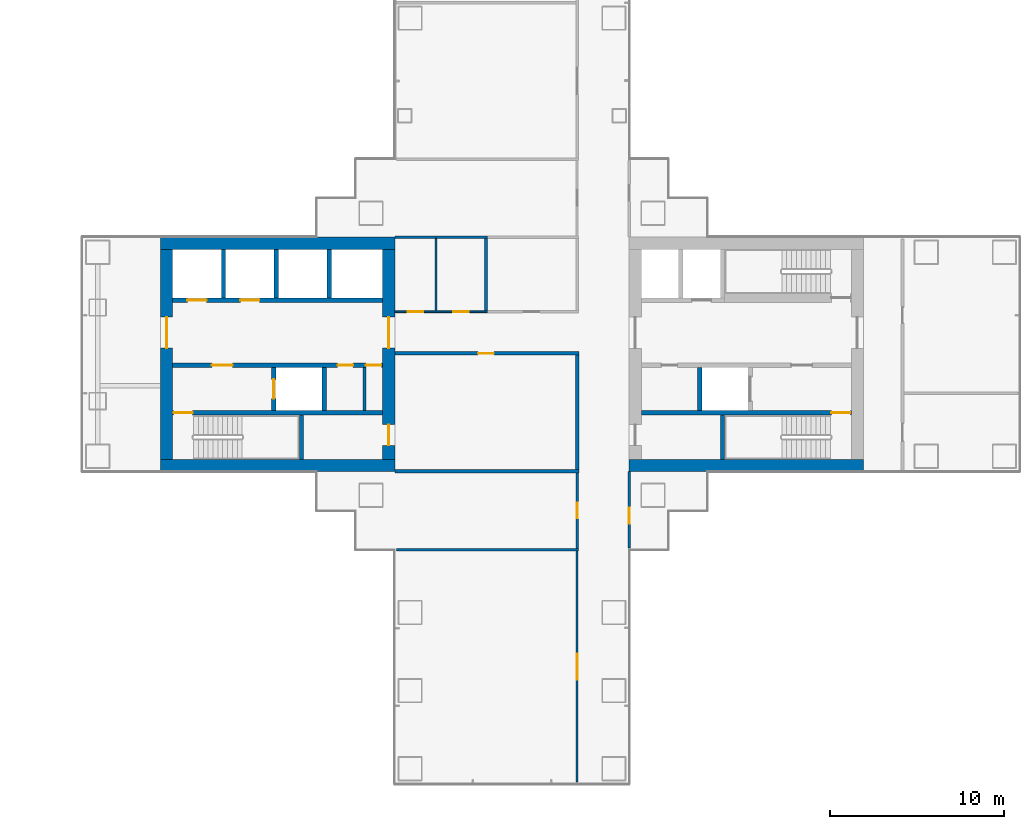
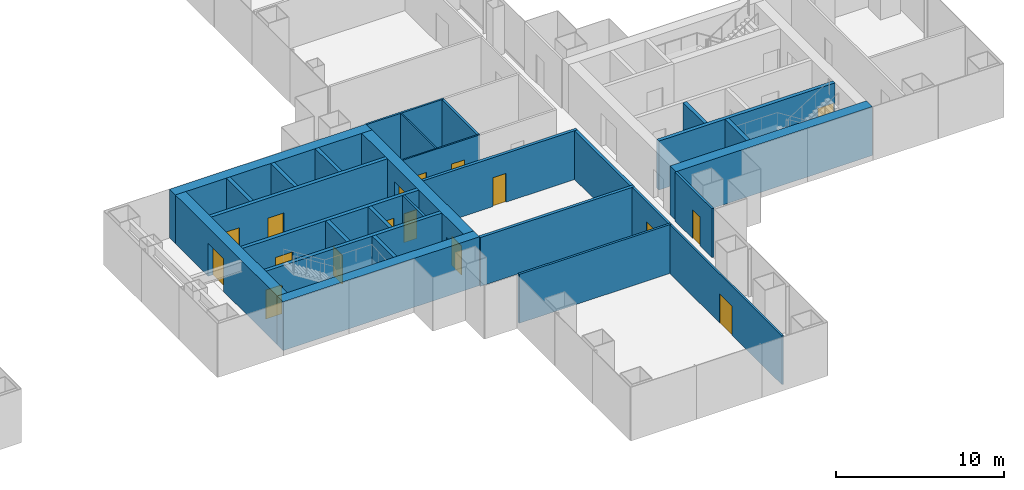
# One storey, part 16 of 21: 29 walls, 17 doors, 17 openings.
"""IFC4 building model written with IfcOpenShell, lengths in metres."""

from ifc_helpers import new_model, si_unit, direction, frame, frame_2d, origin, place, context, subcontext, project, spatial, rectangle, extrude, material, layer, layer_set, type_object, element, fill, save


model = new_model("IFC4")

# Units and contexts
model_context = context("Model", 3, precision=1e-05, world=origin(), true_north=direction((0.0, 1.0)))
body_context = subcontext(model_context, "Body", "Model", "MODEL_VIEW")
ifc_project = project(units=[si_unit("LENGTHUNIT", "METRE"), si_unit("AREAUNIT", "SQUARE_METRE"), si_unit("VOLUMEUNIT", "CUBIC_METRE"), si_unit("PLANEANGLEUNIT", "RADIAN"), si_unit("MASSUNIT", "GRAM", prefix="KILO")], contexts=[model_context])

# Site, building, storey
site_placement = place(None, origin())
site = spatial("IfcSite", under=ifc_project, at=site_placement, CompositionType="ELEMENT")
building_placement = place(site_placement, origin())
building = spatial("IfcBuilding", under=site, at=building_placement, Name="Shamsa Quay Exchange Towers", CompositionType="ELEMENT")
storey_placement = place(building_placement, frame((0.0, 0.0, 61.5)))
storey = spatial("IfcBuildingStorey", under=building, at=storey_placement, Name="L13", CompositionType="ELEMENT", Elevation=61.5)

# Walls
ifc_material_1 = material(Name="Concrete C80/95", Category="concrete")
ifc_layer_1 = layer(ifc_material_1, 0.699951171875)
ifc_layer_set_1 = layer_set([ifc_layer_1], Name="CORE WALL 700 C80/95")
wall_type_1 = type_object("IfcWallType", Name="CORE WALL 700 C80/95", PredefinedType="SHEAR", material=ifc_layer_set_1)
for number, where, name in (
    (1, (13.5, -6.39990234375, 0.0), "Core wall T2A-R06-PS"),
    (2, (13.5, 6.39990234375, 0.0), "Core wall T2A-R06-PN"),
):
    element("IfcWall", number, at=place(storey_placement, frame(where)), inside=storey, type_object=wall_type_1, Name=name, PredefinedType="SHEAR", context=body_context, shape_type="SweptSolid", body=[
        extrude(rectangle(XDim=13.5, YDim=0.699951171875, at=frame_2d((6.75, 0.0))), origin(), (0.0, 0.0, 1.0), 3.550048828125),
    ])

# Wall, opening, door
wall_1_placement = place(storey_placement, frame((13.85009765625, 6.050048828125, 0.0), z_axis=(0.0, 0.0, 1.0), x_axis=(0.0, -1.0, 0.0)))
wall_1 = element("IfcWall", 3, at=wall_1_placement, inside=storey, type_object=wall_type_1, Name="Core wall T2A-R06-PF", PredefinedType="SHEAR", context=body_context, shape_type="SweptSolid", body=[
    extrude(rectangle(XDim=12.10009765625, YDim=0.699951171875, at=frame_2d((6.050048828125, 0.0))), origin(), (0.0, 0.0, 1.0), 3.550048828125),
])
opening_1_placement = place(wall_1_placement, frame((3.89990234375, 0.0, 0.0)))
opening_1 = element("IfcOpeningElement", 4, at=opening_1_placement, cuts=wall_1, Name="Opening T2A-R06-LBD01", PredefinedType="OPENING", context=body_context, shape_type="SweptSolid", body=[
    extrude(rectangle(XDim=1.800048828125, YDim=2.39990234375, at=frame_2d((0.89990234375, 1.199951171875))), frame((0.0, 0.35986328125, 0.0), z_axis=(0.0, -1.0, 0.0), x_axis=(1.0, 0.0, 0.0)), (0.0, 0.0, 1.0), 0.719970703125),
])
ifc_material_2 = material(Name="Steel, fire rated", Category="steel")
door_type_1 = type_object("IfcDoorType", Name="LIFT LOBBY DOOR PAIR 1800", OperationType="DOUBLE_DOOR_SINGLE_SWING", PredefinedType="DOOR", material=ifc_material_2)
door_1_placement = place(opening_1_placement, origin())
door_1 = element("IfcDoor", 5, at=door_1_placement, inside=storey, type_object=door_type_1, Name="T2A-R06-LBD01", OperationType="DOUBLE_DOOR_SINGLE_SWING", OverallHeight=2.39990234375, OverallWidth=1.800048828125, PredefinedType="DOOR", context=body_context, shape_type="SweptSolid", body=[
    extrude(rectangle(XDim=1.800048828125, YDim=2.39990234375, at=frame_2d((0.89990234375, 1.199951171875))), frame((0.0, 0.02490234375, 0.0), z_axis=(0.0, -1.0, 0.0), x_axis=(1.0, 0.0, 0.0)), (0.0, 0.0, 1.0), 0.050048828125),
])
fill(opening_1, door_1)

# Wall, openings, doors
wall_2_placement = place(storey_placement, frame((26.64990234375, 6.050048828125, 0.0), z_axis=(0.0, 0.0, 1.0), x_axis=(0.0, -1.0, 0.0)))
wall_2 = element("IfcWall", 6, at=wall_2_placement, inside=storey, type_object=wall_type_1, Name="Core wall T2A-R06-PB", PredefinedType="SHEAR", context=body_context, shape_type="SweptSolid", body=[
    extrude(rectangle(XDim=12.10009765625, YDim=0.699951171875, at=frame_2d((6.050048828125, 0.0))), origin(), (0.0, 0.0, 1.0), 3.550048828125),
])
opening_2_placement = place(wall_2_placement, frame((10.10009765625, 0.0, 0.0)))
opening_2 = element("IfcOpeningElement", 7, at=opening_2_placement, cuts=wall_2, Name="Opening T2A-R06-RD02", PredefinedType="OPENING", context=body_context, shape_type="SweptSolid", body=[
    extrude(rectangle(XDim=1.199951171875, YDim=2.10009765625, at=frame_2d((0.60009765625, 1.050048828125))), frame((0.0, 0.35986328125, 0.0), z_axis=(0.0, -1.0, 0.0), x_axis=(1.0, 0.0, 0.0)), (0.0, 0.0, 1.0), 0.719970703125),
])
opening_3_placement = place(wall_2_placement, frame((3.89990234375, 0.0, 0.0)))
opening_3 = element("IfcOpeningElement", 8, at=opening_3_placement, cuts=wall_2, Name="Opening T2A-R06-LBD03", PredefinedType="OPENING", context=body_context, shape_type="SweptSolid", body=[
    extrude(rectangle(XDim=1.800048828125, YDim=2.39990234375, at=frame_2d((0.89990234375, 1.199951171875))), frame((0.0, 0.35986328125, 0.0), z_axis=(0.0, -1.0, 0.0), x_axis=(1.0, 0.0, 0.0)), (0.0, 0.0, 1.0), 0.719970703125),
])
door_2_placement = place(opening_3_placement, origin())
door_2 = element("IfcDoor", 9, at=door_2_placement, inside=storey, type_object=door_type_1, Name="T2A-R06-LBD03", OperationType="DOUBLE_DOOR_SINGLE_SWING", OverallHeight=2.39990234375, OverallWidth=1.800048828125, PredefinedType="DOOR", context=body_context, shape_type="SweptSolid", body=[
    extrude(rectangle(XDim=1.800048828125, YDim=2.39990234375, at=frame_2d((0.89990234375, 1.199951171875))), frame((0.0, 0.02490234375, 0.0), z_axis=(0.0, -1.0, 0.0), x_axis=(1.0, 0.0, 0.0)), (0.0, 0.0, 1.0), 0.050048828125),
])
fill(opening_3, door_2)
door_type_2 = type_object("IfcDoorType", Name="RISER ACCESS DOOR 1200", OperationType="SINGLE_SWING_LEFT", PredefinedType="DOOR", material=ifc_material_2)
door_3_placement = place(opening_2_placement, origin())
door_3 = element("IfcDoor", 10, at=door_3_placement, inside=storey, type_object=door_type_2, Name="T2A-R06-RD02", OperationType="SINGLE_SWING_RIGHT", OverallHeight=2.10009765625, OverallWidth=1.199951171875, PredefinedType="DOOR", context=body_context, shape_type="SweptSolid", body=[
    extrude(rectangle(XDim=1.199951171875, YDim=2.10009765625, at=frame_2d((0.60009765625, 1.050048828125))), frame((0.0, 0.02490234375, 0.0), z_axis=(0.0, -1.0, 0.0), x_axis=(1.0, 0.0, 0.0)), (0.0, 0.0, 1.0), 0.050048828125),
])
fill(opening_2, door_3)

# Walls
wall_3_placement = place(storey_placement, frame((54.0, -6.39990234375, 0.0), z_axis=(0.0, 0.0, 1.0), x_axis=(-1.0, 0.0, 0.0)))
element("IfcWall", 11, at=wall_3_placement, inside=storey, type_object=wall_type_1, Name="Core wall T2B-R06-PS", PredefinedType="SHEAR", context=body_context, shape_type="SweptSolid", body=[
    extrude(rectangle(XDim=13.5, YDim=0.699951171875, at=frame_2d((6.75, 0.0))), origin(), (0.0, 0.0, 1.0), 3.550048828125),
])
ifc_material_3 = material(Name="Gypsum board on steel studs, EI 60", Category="steel")
ifc_layer_2 = layer(ifc_material_3, 0.14990234375)
ifc_layer_set_2 = layer_set([ifc_layer_2], Name="FIRE PARTITION 150")
wall_type_2 = type_object("IfcWallType", Name="FIRE PARTITION 150", PredefinedType="PARTITIONING", material=ifc_layer_set_2)
wall_4_placement = place(storey_placement, frame((25.25, -3.25, 0.0), z_axis=(0.0, 0.0, 1.0), x_axis=(0.0, 1.0, 0.0)))
element("IfcWall", 12, at=wall_4_placement, inside=storey, type_object=wall_type_2, Name="Partition T2A-R06-EC0", PredefinedType="PARTITIONING", context=body_context, shape_type="SweptSolid", body=[
    extrude(rectangle(XDim=2.5, YDim=0.14990234375, at=frame_2d((1.25, 0.0))), origin(), (0.0, 0.0, 1.0), 3.550048828125),
])

# Wall, opening, door
ifc_material_4 = material(Name="Laminated fire-resisting glass in a metal frame", Category="glass")
ifc_layer_3 = layer(ifc_material_4, 0.125)
ifc_layer_set_3 = layer_set([ifc_layer_3], Name="Glazed partition 125 mm EI 60")
wall_type_3 = type_object("IfcWallType", Name="Glazed partition 125 mm EI 60", PredefinedType="PARTITIONING", material=ifc_layer_set_3)
wall_5_placement = place(storey_placement, frame((37.5, -24.655029296875, 0.0), z_axis=(0.0, 0.0, 1.0), x_axis=(0.0, 1.0, 0.0)))
wall_5 = element("IfcWall", 13, at=wall_5_placement, inside=storey, type_object=wall_type_3, Name="Partition T2-R06-W02", PredefinedType="PARTITIONING", context=body_context, shape_type="SweptSolid", body=[
    extrude(rectangle(XDim=13.330078125, YDim=0.125, at=frame_2d((6.6650390625, 0.0))), origin(), (0.0, 0.0, 1.0), 3.550048828125),
])
opening_4_placement = place(wall_5_placement, frame((5.905029296875, 0.0, 0.0)))
opening_4 = element("IfcOpeningElement", 14, at=opening_4_placement, cuts=wall_5, Name="Opening T2-R06-D05", PredefinedType="OPENING", context=body_context, shape_type="SweptSolid", body=[
    extrude(rectangle(XDim=1.5, YDim=2.10009765625, at=frame_2d((0.75, 1.050048828125))), frame((0.0, 0.072509765625, 0.0), z_axis=(0.0, -1.0, 0.0), x_axis=(1.0, 0.0, 0.0)), (0.0, 0.0, 1.0), 0.14501953125),
])
ifc_material_5 = material(Name="Timber door leaf in a metal frame", Category="wood")
door_type_3 = type_object("IfcDoorType", Name="Door 1500x2100 FD30S pair", OperationType="NOTDEFINED", PredefinedType="DOOR", material=ifc_material_5)
door_4_placement = place(opening_4_placement, origin())
door_4 = element("IfcDoor", 15, at=door_4_placement, inside=storey, type_object=door_type_3, Name="Door T2-R06-D05", OperationType="DOUBLE_DOOR_SINGLE_SWING", OverallHeight=2.10009765625, OverallWidth=1.5, PredefinedType="DOOR", context=body_context, shape_type="SweptSolid", body=[
    extrude(rectangle(XDim=1.5, YDim=2.10009765625, at=frame_2d((0.75, 1.050048828125))), frame((0.0, 0.02490234375, 0.0), z_axis=(0.0, -1.0, 0.0), x_axis=(1.0, 0.0, 0.0)), (0.0, 0.0, 1.0), 0.050048828125),
])
fill(opening_4, door_4)

# Wall
wall_6_placement = place(storey_placement, frame((27.0, 6.75, 0.0)))
element("IfcWall", 16, at=wall_6_placement, inside=storey, type_object=wall_type_3, Name="Partition T2-R06-W15", PredefinedType="PARTITIONING", context=body_context, shape_type="SweptSolid", body=[
    extrude(rectangle(XDim=5.324951171875, YDim=0.125, at=frame_2d((2.66259765625, 0.0))), origin(), (0.0, 0.0, 1.0), 3.550048828125),
])

# Wall, openings, doors
ifc_material_6 = material(Name="Gypsum board partition on metal studs")
ifc_layer_4 = layer(ifc_material_6, 0.10009765625)
ifc_layer_set_4 = layer_set([ifc_layer_4], Name="Partition 100 mm NOT RATED")
wall_type_4 = type_object("IfcWallType", Name="Partition 100 mm NOT RATED", PredefinedType="PARTITIONING", material=ifc_layer_set_4)
wall_7_placement = place(storey_placement, frame((27.0, 2.4501953125, 0.0)))
wall_7 = element("IfcWall", 17, at=wall_7_placement, inside=storey, type_object=wall_type_4, Name="Partition T2-R06-W07", PredefinedType="PARTITIONING", context=body_context, shape_type="SweptSolid", body=[
    extrude(rectangle(XDim=5.324951171875, YDim=0.10009765625, at=frame_2d((2.66259765625, 0.0))), origin(), (0.0, 0.0, 1.0), 3.550048828125),
])
opening_5_placement = place(wall_7_placement, frame((3.362548828125, 0.0, 0.0)))
opening_5 = element("IfcOpeningElement", 18, at=opening_5_placement, cuts=wall_7, Name="Opening T2-R06-D11", PredefinedType="OPENING", context=body_context, shape_type="SweptSolid", body=[
    extrude(rectangle(XDim=0.89990234375, YDim=2.10009765625, at=frame_2d((0.449951171875, 1.050048828125))), frame((0.0, 0.06005859375, 0.0), z_axis=(0.0, -1.0, 0.0), x_axis=(1.0, 0.0, 0.0)), (0.0, 0.0, 1.0), 0.1201171875),
])
opening_6_placement = place(wall_7_placement, frame((0.737548828125, 0.0, 0.0)))
opening_6 = element("IfcOpeningElement", 19, at=opening_6_placement, cuts=wall_7, Name="Opening T2-R06-D12", PredefinedType="OPENING", context=body_context, shape_type="SweptSolid", body=[
    extrude(rectangle(XDim=0.89990234375, YDim=2.10009765625, at=frame_2d((0.449951171875, 1.050048828125))), frame((0.0, 0.06005859375, 0.0), z_axis=(0.0, -1.0, 0.0), x_axis=(1.0, 0.0, 0.0)), (0.0, 0.0, 1.0), 0.1201171875),
])
door_type_4 = type_object("IfcDoorType", Name="Door 900x2100 NOT RATED", OperationType="NOTDEFINED", PredefinedType="DOOR", material=ifc_material_5)
door_5_placement = place(opening_5_placement, origin())
door_5 = element("IfcDoor", 20, at=door_5_placement, inside=storey, type_object=door_type_4, Name="Door T2-R06-D11", OperationType="SINGLE_SWING_RIGHT", OverallHeight=2.10009765625, OverallWidth=0.89990234375, PredefinedType="DOOR", context=body_context, shape_type="SweptSolid", body=[
    extrude(rectangle(XDim=0.89990234375, YDim=2.10009765625, at=frame_2d((0.449951171875, 1.050048828125))), frame((0.0, 0.02490234375, 0.0), z_axis=(0.0, -1.0, 0.0), x_axis=(1.0, 0.0, 0.0)), (0.0, 0.0, 1.0), 0.050048828125),
])
fill(opening_5, door_5)
door_6_placement = place(opening_6_placement, origin())
door_6 = element("IfcDoor", 21, at=door_6_placement, inside=storey, type_object=door_type_4, Name="Door T2-R06-D12", OperationType="SINGLE_SWING_LEFT", OverallHeight=2.10009765625, OverallWidth=0.89990234375, PredefinedType="DOOR", context=body_context, shape_type="SweptSolid", body=[
    extrude(rectangle(XDim=0.89990234375, YDim=2.10009765625, at=frame_2d((0.449951171875, 1.050048828125))), frame((0.0, 0.02490234375, 0.0), z_axis=(0.0, -1.0, 0.0), x_axis=(1.0, 0.0, 0.0)), (0.0, 0.0, 1.0), 0.050048828125),
])
fill(opening_6, door_6)

# Wall
wall_8_placement = place(storey_placement, frame((29.375, 6.6875, 0.0), z_axis=(0.0, 0.0, 1.0), x_axis=(0.0, -1.0, 0.0)))
element("IfcWall", 22, at=wall_8_placement, inside=storey, type_object=wall_type_4, Name="Partition T2-R06-W18", PredefinedType="PARTITIONING", context=body_context, shape_type="SweptSolid", body=[
    extrude(rectangle(XDim=4.187255859375, YDim=0.10009765625, at=frame_2d((2.09375, 0.0))), origin(), (0.0, 0.0, 1.0), 3.550048828125),
])

# Wall, opening, door
ifc_layer_5 = layer(ifc_material_6, 0.14990234375)
ifc_layer_set_5 = layer_set([ifc_layer_5], Name="Partition 150 mm EI 60")
wall_type_5 = type_object("IfcWallType", Name="Partition 150 mm EI 60", PredefinedType="PARTITIONING", material=ifc_layer_set_5)
wall_9_placement = place(storey_placement, frame((37.5, -11.175048828125, 0.0), z_axis=(0.0, 0.0, 1.0), x_axis=(0.0, 1.0, 0.0)))
wall_9 = element("IfcWall", 23, at=wall_9_placement, inside=storey, type_object=wall_type_5, Name="Partition T2-R06-W05", PredefinedType="PARTITIONING", context=body_context, shape_type="SweptSolid", body=[
    extrude(rectangle(XDim=4.324951171875, YDim=0.14990234375, at=frame_2d((2.16259765625, 0.0))), origin(), (0.0, 0.0, 1.0), 3.550048828125),
])
opening_7_placement = place(wall_9_placement, frame((1.72509765625, 0.0, 0.0)))
opening_7 = element("IfcOpeningElement", 24, at=opening_7_placement, cuts=wall_9, Name="Opening T2-R06-D06", PredefinedType="OPENING", context=body_context, shape_type="SweptSolid", body=[
    extrude(rectangle(XDim=0.89990234375, YDim=2.10009765625, at=frame_2d((0.449951171875, 1.050048828125))), frame((0.0, 0.0849609375, 0.0), z_axis=(0.0, -1.0, 0.0), x_axis=(1.0, 0.0, 0.0)), (0.0, 0.0, 1.0), 0.169921875),
])
door_type_5 = type_object("IfcDoorType", Name="Door 900x2100 FD30S", OperationType="NOTDEFINED", PredefinedType="DOOR", material=ifc_material_5)
door_7_placement = place(opening_7_placement, origin())
door_7 = element("IfcDoor", 25, at=door_7_placement, inside=storey, type_object=door_type_5, Name="Door T2-R06-D06", OperationType="SINGLE_SWING_LEFT", OverallHeight=2.10009765625, OverallWidth=0.89990234375, PredefinedType="DOOR", context=body_context, shape_type="SweptSolid", body=[
    extrude(rectangle(XDim=0.89990234375, YDim=2.10009765625, at=frame_2d((0.449951171875, 1.050048828125))), frame((0.0, 0.02490234375, 0.0), z_axis=(0.0, -1.0, 0.0), x_axis=(1.0, 0.0, 0.0)), (0.0, 0.0, 1.0), 0.050048828125),
])
fill(opening_7, door_7)

wall_10_placement = place(storey_placement, frame((40.5, -6.75, 0.0), z_axis=(0.0, 0.0, 1.0), x_axis=(0.0, -1.0, 0.0)))
wall_10 = element("IfcWall", 26, at=wall_10_placement, inside=storey, type_object=wall_type_5, Name="Partition T2-R06-W10", PredefinedType="PARTITIONING", context=body_context, shape_type="SweptSolid", body=[
    extrude(rectangle(XDim=4.405029296875, YDim=0.14990234375, at=frame_2d((2.20263671875, 0.0))), origin(), (0.0, 0.0, 1.0), 3.550048828125),
])
opening_8_placement = place(wall_10_placement, frame((2.10009765625, 0.0, 0.0)))
opening_8 = element("IfcOpeningElement", 27, at=opening_8_placement, cuts=wall_10, Name="Opening T2-R06-D03", PredefinedType="OPENING", context=body_context, shape_type="SweptSolid", body=[
    extrude(rectangle(XDim=0.89990234375, YDim=2.10009765625, at=frame_2d((0.449951171875, 1.050048828125))), frame((0.0, 0.0849609375, 0.0), z_axis=(0.0, -1.0, 0.0), x_axis=(1.0, 0.0, 0.0)), (0.0, 0.0, 1.0), 0.169921875),
])
door_8_placement = place(opening_8_placement, origin())
door_8 = element("IfcDoor", 28, at=door_8_placement, inside=storey, type_object=door_type_5, Name="Door T2-R06-D03", OperationType="SINGLE_SWING_RIGHT", OverallHeight=2.10009765625, OverallWidth=0.89990234375, PredefinedType="DOOR", context=body_context, shape_type="SweptSolid", body=[
    extrude(rectangle(XDim=0.89990234375, YDim=2.10009765625, at=frame_2d((0.449951171875, 1.050048828125))), frame((0.0, 0.02490234375, 0.0), z_axis=(0.0, -1.0, 0.0), x_axis=(1.0, 0.0, 0.0)), (0.0, 0.0, 1.0), 0.050048828125),
])
fill(opening_8, door_8)

# Walls
wall_11_placement = place(storey_placement, frame((32.25, 6.675048828125, 0.0), z_axis=(0.0, 0.0, 1.0), x_axis=(0.0, -1.0, 0.0)))
element("IfcWall", 29, at=wall_11_placement, inside=storey, type_object=wall_type_5, Name="Partition T2-R06-W17", PredefinedType="PARTITIONING", context=body_context, shape_type="SweptSolid", body=[
    extrude(rectangle(XDim=4.14990234375, YDim=0.14990234375, at=frame_2d((2.074951171875, 0.0))), origin(), (0.0, 0.0, 1.0), 3.550048828125),
])
wall_12_placement = place(storey_placement, frame((27.094970703125, -11.25, 0.0)))
element("IfcWall", 30, at=wall_12_placement, inside=storey, type_object=wall_type_5, Name="Partition T2-R06-W19", PredefinedType="PARTITIONING", context=body_context, shape_type="SweptSolid", body=[
    extrude(rectangle(XDim=10.47998046875, YDim=0.14990234375, at=frame_2d((5.239990234375, 0.0))), origin(), (0.0, 0.0, 1.0), 3.550048828125),
])

# Wall, opening, door
ifc_layer_6 = layer(ifc_material_6, 0.199951171875)
ifc_layer_set_6 = layer_set([ifc_layer_6], Name="Partition 200 mm EI 120")
wall_type_6 = type_object("IfcWallType", Name="Partition 200 mm EI 120", PredefinedType="PARTITIONING", material=ifc_layer_set_6)
wall_13_placement = place(storey_placement, frame((37.60009765625, 0.0498046875, 0.0), z_axis=(0.0, 0.0, 1.0), x_axis=(-1.0, 0.0, 0.0)))
wall_13 = element("IfcWall", 31, at=wall_13_placement, inside=storey, type_object=wall_type_6, Name="Partition T2-R06-W08", PredefinedType="PARTITIONING", context=body_context, shape_type="SweptSolid", body=[
    extrude(rectangle(XDim=10.60009765625, YDim=0.199951171875, at=frame_2d((5.300048828125, 0.0))), origin(), (0.0, 0.0, 1.0), 3.550048828125),
])
opening_9_placement = place(wall_13_placement, frame((4.89990234375, 0.0, 0.0)))
opening_9 = element("IfcOpeningElement", 32, at=opening_9_placement, cuts=wall_13, Name="Opening T2-R06-D13", PredefinedType="OPENING", context=body_context, shape_type="SweptSolid", body=[
    extrude(rectangle(XDim=0.89990234375, YDim=2.10009765625, at=frame_2d((0.449951171875, 1.050048828125))), frame((0.0, 0.10986328125, 0.0), z_axis=(0.0, -1.0, 0.0), x_axis=(1.0, 0.0, 0.0)), (0.0, 0.0, 1.0), 0.219970703125),
])
door_type_6 = type_object("IfcDoorType", Name="Door 900x2100 FD60", OperationType="NOTDEFINED", PredefinedType="DOOR", material=ifc_material_5)
door_9_placement = place(opening_9_placement, origin())
door_9 = element("IfcDoor", 33, at=door_9_placement, inside=storey, type_object=door_type_6, Name="Door T2-R06-D13", OperationType="SINGLE_SWING_RIGHT", OverallHeight=2.10009765625, OverallWidth=0.89990234375, PredefinedType="DOOR", context=body_context, shape_type="SweptSolid", body=[
    extrude(rectangle(XDim=0.89990234375, YDim=2.10009765625, at=frame_2d((0.449951171875, 1.050048828125))), frame((0.0, 0.02490234375, 0.0), z_axis=(0.0, -1.0, 0.0), x_axis=(1.0, 0.0, 0.0)), (0.0, 0.0, 1.0), 0.050048828125),
])
fill(opening_9, door_9)

# Walls
wall_14_placement = place(storey_placement, frame((37.5, -6.64990234375, 0.0), z_axis=(0.0, 0.0, 1.0), x_axis=(0.0, 1.0, 0.0)))
element("IfcWall", 34, at=wall_14_placement, inside=storey, type_object=wall_type_6, Name="Partition T2-R06-W09", PredefinedType="PARTITIONING", context=body_context, shape_type="SweptSolid", body=[
    extrude(rectangle(XDim=6.599609375, YDim=0.199951171875, at=frame_2d((3.2998046875, 0.0))), origin(), (0.0, 0.0, 1.0), 3.550048828125),
])
wall_15_placement = place(storey_placement, frame((37.60009765625, -6.75, 0.0), z_axis=(0.0, 0.0, 1.0), x_axis=(-1.0, 0.0, 0.0)))
element("IfcWall", 35, at=wall_15_placement, inside=storey, type_object=wall_type_6, Name="Partition T2-R06-W20", PredefinedType="PARTITIONING", context=body_context, shape_type="SweptSolid", body=[
    extrude(rectangle(XDim=10.60009765625, YDim=0.199951171875, at=frame_2d((5.300048828125, 0.0))), origin(), (0.0, 0.0, 1.0), 3.550048828125),
])

# Wall, opening, door
ifc_material_7 = material(Name="Concrete C50/60", Category="concrete")
ifc_layer_7 = layer(ifc_material_7, 0.25)
ifc_layer_set_7 = layer_set([ifc_layer_7], Name="SHAFT WALL 250 C50/60")
wall_type_7 = type_object("IfcWallType", Name="SHAFT WALL 250 C50/60", PredefinedType="SHEAR", material=ifc_layer_set_7)
wall_16_placement = place(storey_placement, frame((26.300048828125, -3.375, 0.0), z_axis=(0.0, 0.0, 1.0), x_axis=(-1.0, 0.0, 0.0)))
wall_16 = element("IfcWall", 36, at=wall_16_placement, inside=storey, type_object=wall_type_7, Name="Shaft wall T2A-R06-STL", PredefinedType="SHEAR", context=body_context, shape_type="SweptSolid", body=[
    extrude(rectangle(XDim=12.10009765625, YDim=0.25, at=frame_2d((6.050048828125, 0.0))), origin(), (0.0, 0.0, 1.0), 3.550048828125),
])
opening_10_placement = place(wall_16_placement, frame((10.949951171875, 0.0, 0.0)))
opening_10 = element("IfcOpeningElement", 37, at=opening_10_placement, cuts=wall_16, Name="Opening T2A-R06-SD04", PredefinedType="OPENING", context=body_context, shape_type="SweptSolid", body=[
    extrude(rectangle(XDim=1.10009765625, YDim=2.10009765625, at=frame_2d((0.550048828125, 1.050048828125))), frame((0.0, 0.135009765625, 0.0), z_axis=(0.0, -1.0, 0.0), x_axis=(1.0, 0.0, 0.0)), (0.0, 0.0, 1.0), 0.27001953125),
])
door_type_7 = type_object("IfcDoorType", Name="STAIR DOOR 1100", OperationType="SINGLE_SWING_LEFT", PredefinedType="DOOR", material=ifc_material_2)
door_10_placement = place(opening_10_placement, origin())
door_10 = element("IfcDoor", 38, at=door_10_placement, inside=storey, type_object=door_type_7, Name="T2A-R06-SD04", OperationType="SINGLE_SWING_RIGHT", OverallHeight=2.10009765625, OverallWidth=1.10009765625, PredefinedType="DOOR", context=body_context, shape_type="SweptSolid", body=[
    extrude(rectangle(XDim=1.10009765625, YDim=2.10009765625, at=frame_2d((0.550048828125, 1.050048828125))), frame((0.0, 0.02490234375, 0.0), z_axis=(0.0, -1.0, 0.0), x_axis=(1.0, 0.0, 0.0)), (0.0, 0.0, 1.0), 0.050048828125),
])
fill(opening_10, door_10)

# Wall
wall_17_placement = place(storey_placement, frame((21.625, -6.050048828125, 0.0), z_axis=(0.0, 0.0, 1.0), x_axis=(0.0, 1.0, 0.0)))
element("IfcWall", 39, at=wall_17_placement, inside=storey, type_object=wall_type_7, Name="Shaft wall T2A-R06-STF", PredefinedType="SHEAR", context=body_context, shape_type="SweptSolid", body=[
    extrude(rectangle(XDim=2.550048828125, YDim=0.25, at=frame_2d((1.27490234375, 0.0))), origin(), (0.0, 0.0, 1.0), 3.550048828125),
])

# Wall, openings, doors
wall_18_placement = place(storey_placement, frame((26.300048828125, -0.625, 0.0), z_axis=(0.0, 0.0, 1.0), x_axis=(-1.0, 0.0, 0.0)))
wall_18 = element("IfcWall", 40, at=wall_18_placement, inside=storey, type_object=wall_type_7, Name="Shaft wall T2A-R06-B", PredefinedType="SHEAR", context=body_context, shape_type="SweptSolid", body=[
    extrude(rectangle(XDim=12.10009765625, YDim=0.25, at=frame_2d((6.050048828125, 0.0))), origin(), (0.0, 0.0, 1.0), 3.550048828125),
])
opening_11_placement = place(wall_18_placement, frame((8.64990234375, 0.0, 0.0)))
opening_11 = element("IfcOpeningElement", 41, at=opening_11_placement, cuts=wall_18, Name="Opening T2A-R06-FD05", PredefinedType="OPENING", context=body_context, shape_type="SweptSolid", body=[
    extrude(rectangle(XDim=1.199951171875, YDim=2.10009765625, at=frame_2d((0.60009765625, 1.050048828125))), frame((0.0, 0.135009765625, 0.0), z_axis=(0.0, -1.0, 0.0), x_axis=(1.0, 0.0, 0.0)), (0.0, 0.0, 1.0), 0.27001953125),
])
opening_12_placement = place(wall_18_placement, frame((1.699951171875, 0.0, 0.0)))
opening_12 = element("IfcOpeningElement", 42, at=opening_12_placement, cuts=wall_18, Name="Opening T2A-R06-SV06", PredefinedType="OPENING", context=body_context, shape_type="SweptSolid", body=[
    extrude(rectangle(XDim=0.89990234375, YDim=2.10009765625, at=frame_2d((0.449951171875, 1.050048828125))), frame((0.0, 0.135009765625, 0.0), z_axis=(0.0, -1.0, 0.0), x_axis=(1.0, 0.0, 0.0)), (0.0, 0.0, 1.0), 0.27001953125),
])
opening_13_placement = place(wall_18_placement, frame((0.074951171875, 0.0, 0.0)))
opening_13 = element("IfcOpeningElement", 43, at=opening_13_placement, cuts=wall_18, Name="Opening T2A-R06-SV07", PredefinedType="OPENING", context=body_context, shape_type="SweptSolid", body=[
    extrude(rectangle(XDim=0.89990234375, YDim=2.10009765625, at=frame_2d((0.449951171875, 1.050048828125))), frame((0.0, 0.135009765625, 0.0), z_axis=(0.0, -1.0, 0.0), x_axis=(1.0, 0.0, 0.0)), (0.0, 0.0, 1.0), 0.27001953125),
])
door_type_8 = type_object("IfcDoorType", Name="FIRE SERVICE LOBBY DOOR 1200", OperationType="SINGLE_SWING_LEFT", PredefinedType="DOOR", material=ifc_material_2)
door_11_placement = place(opening_11_placement, origin())
door_11 = element("IfcDoor", 44, at=door_11_placement, inside=storey, type_object=door_type_8, Name="T2A-R06-FD05", OperationType="SINGLE_SWING_RIGHT", OverallHeight=2.10009765625, OverallWidth=1.199951171875, PredefinedType="DOOR", context=body_context, shape_type="SweptSolid", body=[
    extrude(rectangle(XDim=1.199951171875, YDim=2.10009765625, at=frame_2d((0.60009765625, 1.050048828125))), frame((0.0, 0.02490234375, 0.0), z_axis=(0.0, -1.0, 0.0), x_axis=(1.0, 0.0, 0.0)), (0.0, 0.0, 1.0), 0.050048828125),
])
fill(opening_11, door_11)
door_type_9 = type_object("IfcDoorType", Name="SERVICE ROOM DOOR 900", OperationType="SINGLE_SWING_LEFT", PredefinedType="DOOR", material=ifc_material_2)
door_12_placement = place(opening_12_placement, origin())
door_12 = element("IfcDoor", 45, at=door_12_placement, inside=storey, type_object=door_type_9, Name="T2A-R06-SV06", OperationType="SINGLE_SWING_LEFT", OverallHeight=2.10009765625, OverallWidth=0.89990234375, PredefinedType="DOOR", context=body_context, shape_type="SweptSolid", body=[
    extrude(rectangle(XDim=0.89990234375, YDim=2.10009765625, at=frame_2d((0.449951171875, 1.050048828125))), frame((0.0, 0.02490234375, 0.0), z_axis=(0.0, -1.0, 0.0), x_axis=(1.0, 0.0, 0.0)), (0.0, 0.0, 1.0), 0.050048828125),
])
fill(opening_12, door_12)
door_13_placement = place(opening_13_placement, origin())
door_13 = element("IfcDoor", 46, at=door_13_placement, inside=storey, type_object=door_type_9, Name="T2A-R06-SV07", OperationType="SINGLE_SWING_LEFT", OverallHeight=2.10009765625, OverallWidth=0.89990234375, PredefinedType="DOOR", context=body_context, shape_type="SweptSolid", body=[
    extrude(rectangle(XDim=0.89990234375, YDim=2.10009765625, at=frame_2d((0.449951171875, 1.050048828125))), frame((0.0, 0.02490234375, 0.0), z_axis=(0.0, -1.0, 0.0), x_axis=(1.0, 0.0, 0.0)), (0.0, 0.0, 1.0), 0.050048828125),
])
fill(opening_13, door_13)

# Wall, opening, door
wall_19_placement = place(storey_placement, frame((20.02490234375, -3.25, 0.0), z_axis=(0.0, 0.0, 1.0), x_axis=(0.0, 1.0, 0.0)))
wall_19 = element("IfcWall", 47, at=wall_19_placement, inside=storey, type_object=wall_type_7, Name="Shaft wall T2A-R06-FFF", PredefinedType="SHEAR", context=body_context, shape_type="SweptSolid", body=[
    extrude(rectangle(XDim=2.5, YDim=0.25, at=frame_2d((1.25, 0.0))), origin(), (0.0, 0.0, 1.0), 3.550048828125),
])
opening_14_placement = place(wall_19_placement, frame((0.699951171875, 0.0, 0.0)))
opening_14 = element("IfcOpeningElement", 48, at=opening_14_placement, cuts=wall_19, Name="Opening T2A-R06-LDF08", PredefinedType="OPENING", context=body_context, shape_type="SweptSolid", body=[
    extrude(rectangle(XDim=1.10009765625, YDim=2.10009765625, at=frame_2d((0.550048828125, 1.050048828125))), frame((0.0, 0.135009765625, 0.0), z_axis=(0.0, -1.0, 0.0), x_axis=(1.0, 0.0, 0.0)), (0.0, 0.0, 1.0), 0.27001953125),
])
door_type_10 = type_object("IfcDoorType", Name="FIRE SERVICE LANDING DOOR 1100", OperationType="SLIDING_TO_LEFT", PredefinedType="DOOR", material=ifc_material_2)
door_14_placement = place(opening_14_placement, origin())
door_14 = element("IfcDoor", 49, at=door_14_placement, inside=storey, type_object=door_type_10, Name="T2A-R06-LDF08", OperationType="SLIDING_TO_LEFT", OverallHeight=2.10009765625, OverallWidth=1.10009765625, PredefinedType="DOOR", context=body_context, shape_type="SweptSolid", body=[
    extrude(rectangle(XDim=1.10009765625, YDim=2.10009765625, at=frame_2d((0.550048828125, 1.050048828125))), frame((0.0, 0.02490234375, 0.0), z_axis=(0.0, -1.0, 0.0), x_axis=(1.0, 0.0, 0.0)), (0.0, 0.0, 1.0), 0.050048828125),
])
fill(opening_14, door_14)

# Wall
wall_20_placement = place(storey_placement, frame((22.925048828125, -3.25, 0.0), z_axis=(0.0, 0.0, 1.0), x_axis=(0.0, 1.0, 0.0)))
element("IfcWall", 50, at=wall_20_placement, inside=storey, type_object=wall_type_7, Name="Shaft wall T2A-R06-FFB", PredefinedType="SHEAR", context=body_context, shape_type="SweptSolid", body=[
    extrude(rectangle(XDim=2.5, YDim=0.25, at=frame_2d((1.25, 0.0))), origin(), (0.0, 0.0, 1.0), 3.550048828125),
])

# Wall, openings, doors
wall_21_placement = place(storey_placement, frame((14.199951171875, 3.125, 0.0)))
wall_21 = element("IfcWall", 51, at=wall_21_placement, inside=storey, type_object=wall_type_7, Name="Shaft wall T2A-R06-N", PredefinedType="SHEAR", context=body_context, shape_type="SweptSolid", body=[
    extrude(rectangle(XDim=12.10009765625, YDim=0.25, at=frame_2d((6.050048828125, 0.0))), origin(), (0.0, 0.0, 1.0), 3.550048828125),
])
opening_15_placement = place(wall_21_placement, frame((0.85009765625, 0.0, 0.0)))
opening_15 = element("IfcOpeningElement", 52, at=opening_15_placement, cuts=wall_21, Name="Opening T2A-R06-LD09", PredefinedType="OPENING", context=body_context, shape_type="SweptSolid", body=[
    extrude(rectangle(XDim=1.10009765625, YDim=2.10009765625, at=frame_2d((0.550048828125, 1.050048828125))), frame((0.0, 0.135009765625, 0.0), z_axis=(0.0, -1.0, 0.0), x_axis=(1.0, 0.0, 0.0)), (0.0, 0.0, 1.0), 0.27001953125),
])
opening_16_placement = place(wall_21_placement, frame((3.89990234375, 0.0, 0.0)))
opening_16 = element("IfcOpeningElement", 53, at=opening_16_placement, cuts=wall_21, Name="Opening T2A-R06-LD10", PredefinedType="OPENING", context=body_context, shape_type="SweptSolid", body=[
    extrude(rectangle(XDim=1.10009765625, YDim=2.10009765625, at=frame_2d((0.550048828125, 1.050048828125))), frame((0.0, 0.135009765625, 0.0), z_axis=(0.0, -1.0, 0.0), x_axis=(1.0, 0.0, 0.0)), (0.0, 0.0, 1.0), 0.27001953125),
])
door_type_11 = type_object("IfcDoorType", Name="LANDING DOOR 1100", OperationType="SLIDING_TO_LEFT", PredefinedType="DOOR", material=ifc_material_2)
door_15_placement = place(opening_15_placement, origin())
door_15 = element("IfcDoor", 54, at=door_15_placement, inside=storey, type_object=door_type_11, Name="T2A-R06-LD09", OperationType="SLIDING_TO_LEFT", OverallHeight=2.10009765625, OverallWidth=1.10009765625, PredefinedType="DOOR", context=body_context, shape_type="SweptSolid", body=[
    extrude(rectangle(XDim=1.10009765625, YDim=2.10009765625, at=frame_2d((0.550048828125, 1.050048828125))), frame((0.0, 0.02490234375, 0.0), z_axis=(0.0, -1.0, 0.0), x_axis=(1.0, 0.0, 0.0)), (0.0, 0.0, 1.0), 0.050048828125),
])
fill(opening_15, door_15)
door_16_placement = place(opening_16_placement, origin())
door_16 = element("IfcDoor", 55, at=door_16_placement, inside=storey, type_object=door_type_11, Name="T2A-R06-LD10", OperationType="SLIDING_TO_LEFT", OverallHeight=2.10009765625, OverallWidth=1.10009765625, PredefinedType="DOOR", context=body_context, shape_type="SweptSolid", body=[
    extrude(rectangle(XDim=1.10009765625, YDim=2.10009765625, at=frame_2d((0.550048828125, 1.050048828125))), frame((0.0, 0.02490234375, 0.0), z_axis=(0.0, -1.0, 0.0), x_axis=(1.0, 0.0, 0.0)), (0.0, 0.0, 1.0), 0.050048828125),
])
fill(opening_16, door_16)

# Walls
for number, where, z_axis, x_axis, name in (
    (56, (17.125, 3.25, 0.0), (0.0, 0.0, 1.0), (0.0, 1.0, 0.0), "Shaft wall T2A-R06-D0"),
    (57, (20.175048828125, 3.25, 0.0), (0.0, 0.0, 1.0), (0.0, 1.0, 0.0), "Shaft wall T2A-R06-D1"),
    (58, (23.22509765625, 3.25, 0.0), (0.0, 0.0, 1.0), (0.0, 1.0, 0.0), "Shaft wall T2A-R06-D2"),
):
    element("IfcWall", number, at=place(storey_placement, frame(where, z_axis=z_axis, x_axis=x_axis)), inside=storey, type_object=wall_type_7, Name=name, PredefinedType="SHEAR", context=body_context, shape_type="SweptSolid", body=[
        extrude(rectangle(XDim=2.800048828125, YDim=0.25, at=frame_2d((1.39990234375, 0.0))), origin(), (0.0, 0.0, 1.0), 3.550048828125),
    ])

# Wall, opening, door
wall_22_placement = place(storey_placement, frame((53.300048828125, -3.375, 0.0), z_axis=(0.0, 0.0, 1.0), x_axis=(-1.0, 0.0, 0.0)))
wall_22 = element("IfcWall", 59, at=wall_22_placement, inside=storey, type_object=wall_type_7, Name="Shaft wall T2B-R06-STL", PredefinedType="SHEAR", context=body_context, shape_type="SweptSolid", body=[
    extrude(rectangle(XDim=12.10009765625, YDim=0.25, at=frame_2d((6.050048828125, 0.0))), origin(), (0.0, 0.0, 1.0), 3.550048828125),
])
opening_17_placement = place(wall_22_placement, frame((0.050048828125, 0.0, 0.0)))
opening_17 = element("IfcOpeningElement", 60, at=opening_17_placement, cuts=wall_22, Name="Opening T2B-R06-SD04", PredefinedType="OPENING", context=body_context, shape_type="SweptSolid", body=[
    extrude(rectangle(XDim=1.10009765625, YDim=2.10009765625, at=frame_2d((0.550048828125, 1.050048828125))), frame((0.0, 0.135009765625, 0.0), z_axis=(0.0, -1.0, 0.0), x_axis=(1.0, 0.0, 0.0)), (0.0, 0.0, 1.0), 0.27001953125),
])
door_17_placement = place(opening_17_placement, origin())
door_17 = element("IfcDoor", 61, at=door_17_placement, inside=storey, type_object=door_type_7, Name="T2B-R06-SD04", OperationType="SINGLE_SWING_LEFT", OverallHeight=2.10009765625, OverallWidth=1.10009765625, PredefinedType="DOOR", context=body_context, shape_type="SweptSolid", body=[
    extrude(rectangle(XDim=1.10009765625, YDim=2.10009765625, at=frame_2d((0.550048828125, 1.050048828125))), frame((0.0, 0.02490234375, 0.0), z_axis=(0.0, -1.0, 0.0), x_axis=(1.0, 0.0, 0.0)), (0.0, 0.0, 1.0), 0.050048828125),
])
fill(opening_17, door_17)

# Walls
wall_23_placement = place(storey_placement, frame((45.875, -6.050048828125, 0.0), z_axis=(0.0, 0.0, 1.0), x_axis=(0.0, 1.0, 0.0)))
element("IfcWall", 62, at=wall_23_placement, inside=storey, type_object=wall_type_7, Name="Shaft wall T2B-R06-STF", PredefinedType="SHEAR", context=body_context, shape_type="SweptSolid", body=[
    extrude(rectangle(XDim=2.550048828125, YDim=0.25, at=frame_2d((1.27490234375, 0.0))), origin(), (0.0, 0.0, 1.0), 3.550048828125),
])
wall_24_placement = place(storey_placement, frame((44.574951171875, -3.25, 0.0), z_axis=(0.0, 0.0, 1.0), x_axis=(0.0, 1.0, 0.0)))
element("IfcWall", 63, at=wall_24_placement, inside=storey, type_object=wall_type_7, Name="Shaft wall T2B-R06-FFB", PredefinedType="SHEAR", context=body_context, shape_type="SweptSolid", body=[
    extrude(rectangle(XDim=2.5, YDim=0.25, at=frame_2d((1.25, 0.0))), origin(), (0.0, 0.0, 1.0), 3.550048828125),
])

save(model, "model.ifc")
